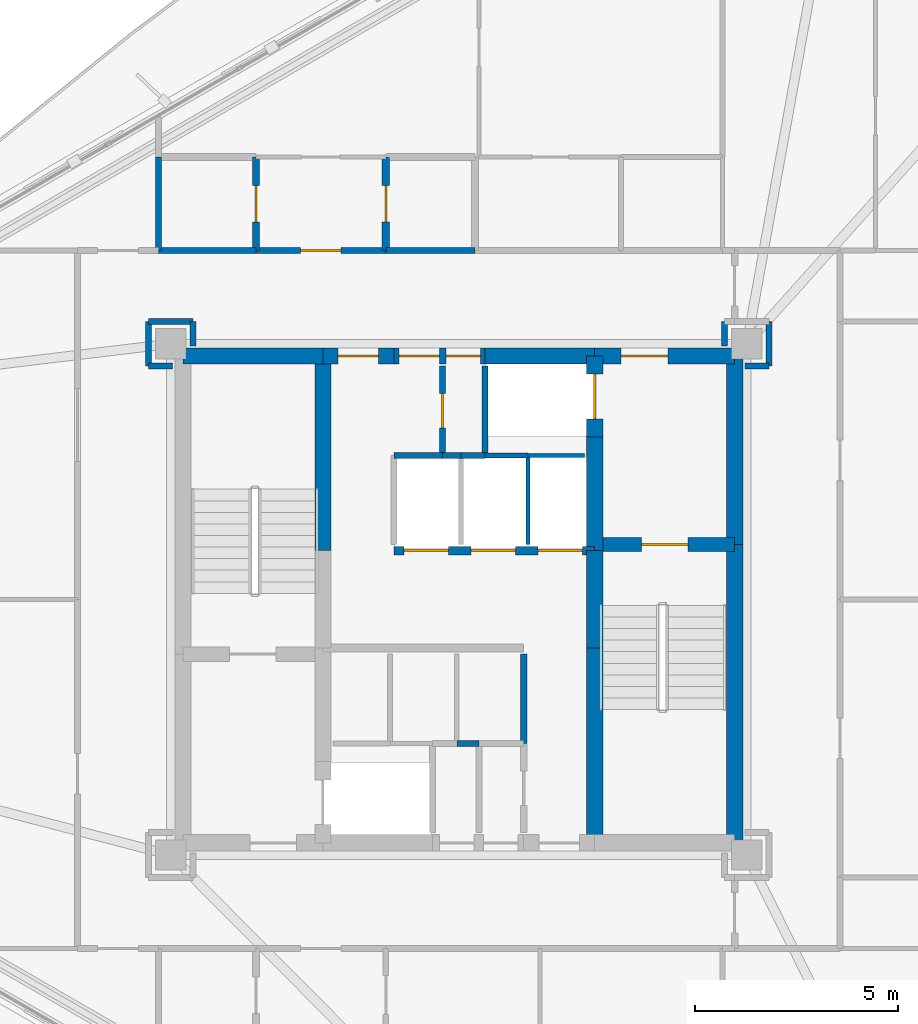
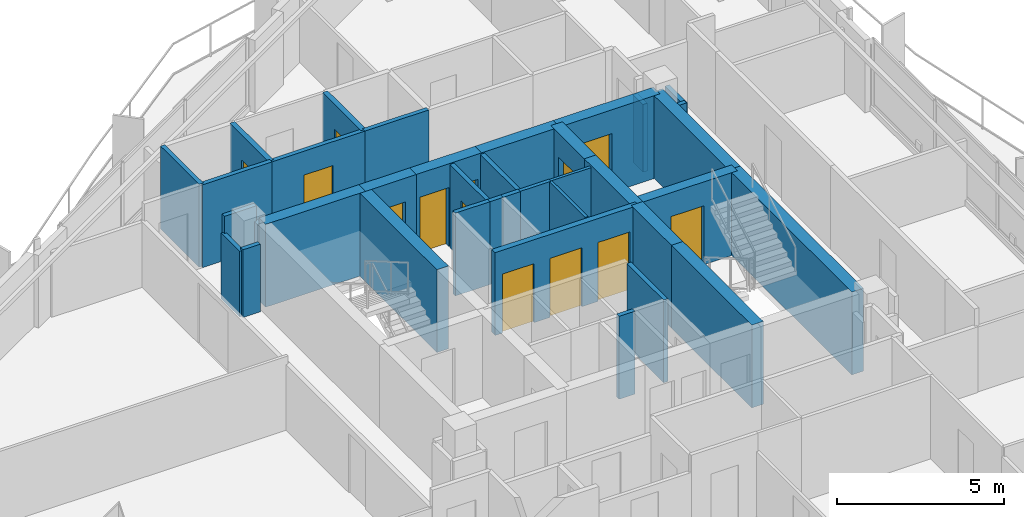
# One storey, part 17 of 22: 37 walls, 13 doors, 13 openings.
"""IFC4 building model written with IfcOpenShell, lengths in metres."""

from ifc_helpers import new_model, si_unit, direction, frame, frame_2d, origin, place, context, subcontext, project, spatial, rectangle, extrude, material, layer, layer_set, type_object, element, fill, save


model = new_model("IFC4")

# Units and contexts
model_context = context("Model", 3, precision=1e-05, world=origin(), true_north=direction((0.0, 1.0)))
body_context = subcontext(model_context, "Body", "Model", "MODEL_VIEW")
ifc_project = project(units=[si_unit("LENGTHUNIT", "METRE"), si_unit("AREAUNIT", "SQUARE_METRE"), si_unit("VOLUMEUNIT", "CUBIC_METRE"), si_unit("PLANEANGLEUNIT", "RADIAN"), si_unit("MASSUNIT", "GRAM", prefix="KILO")], contexts=[model_context])

# Site, building, storey
site_placement = place(None, origin())
site = spatial("IfcSite", under=ifc_project, at=site_placement, CompositionType="ELEMENT")
building_placement = place(site_placement, origin())
building = spatial("IfcBuilding", under=site, at=building_placement, Name="Mersakhor Tower and Convention Hall", CompositionType="ELEMENT")
storey_placement = place(building_placement, frame((0.0, 0.0, 113.10009765625)))
storey = spatial("IfcBuildingStorey", under=building, at=storey_placement, Name="L31", CompositionType="ELEMENT", Elevation=113.10009765625)

# Wall, opening, door
ifc_material_1 = material(Name="Moisture-resistant acoustic drywall studwork", Category="other")
ifc_layer_1 = layer(ifc_material_1, 0.175048828125)
ifc_layer_set_1 = layer_set([ifc_layer_1], Name="Moisture-resistant acoustic drywall studwork")
wall_type_1 = type_object("IfcWallType", Name="WL-PLM-175", PredefinedType="PLUMBINGWALL", material=ifc_layer_set_1)
wall_1_placement = place(storey_placement, frame((27.199951171875, 37.64990234375, 0.0), z_axis=(0.0, 0.0, 1.0), x_axis=(0.0, -1.0, 0.0)))
wall_1 = element("IfcWall", 1, at=wall_1_placement, inside=storey, type_object=wall_type_1, Name="L31 Interior Partition Wall P-063", PredefinedType="PLUMBINGWALL", context=body_context, shape_type="SweptSolid", body=[
    extrude(rectangle(XDim=2.2998046875, YDim=0.175048828125, at=frame_2d((1.14990234375, 0.0))), origin(), (0.0, 0.0, 1.0), 3.02001953125),
])
opening_1_placement = place(wall_1_placement, frame((0.699951171875, 0.0, 0.0)))
opening_1 = element("IfcOpeningElement", 2, at=opening_1_placement, cuts=wall_1, Name="Opening WD-01", PredefinedType="OPENING", context=body_context, shape_type="SweptSolid", body=[
    extrude(rectangle(XDim=0.89990234375, YDim=2.10009765625, at=frame_2d((0.449951171875, 1.050048828125))), frame((0.0, 0.097412109375, 0.0), z_axis=(0.0, -1.0, 0.0), x_axis=(1.0, 0.0, 0.0)), (0.0, 0.0, 1.0), 0.195068359375),
])
ifc_material_2 = material(Name="Solid-core hardwood leaf in painted steel frame", Category="steel")
door_type_1 = type_object("IfcDoorType", Name="DR-INT-WET-090x210", OperationType="NOTDEFINED", PredefinedType="DOOR", material=ifc_material_2)
door_1_placement = place(opening_1_placement, origin())
door_1 = element("IfcDoor", 3, at=door_1_placement, inside=storey, type_object=door_type_1, Name="L31 L31 Flat N1 Apartment Hall to L31 Flat N1 En-Suite Bathroom Door", OperationType="SINGLE_SWING_RIGHT", OverallHeight=2.10009765625, OverallWidth=0.89990234375, PredefinedType="DOOR", context=body_context, shape_type="SweptSolid", body=[
    extrude(rectangle(XDim=0.89990234375, YDim=2.10009765625, at=frame_2d((0.449951171875, 1.050048828125))), frame((0.0, 0.02490234375, 0.0), z_axis=(0.0, -1.0, 0.0), x_axis=(1.0, 0.0, 0.0)), (0.0, 0.0, 1.0), 0.050048828125),
])
fill(opening_1, door_1)

wall_2_placement = place(storey_placement, frame((24.0, 35.35009765625, 0.0), z_axis=(0.0, 0.0, 1.0), x_axis=(0.0, 1.0, 0.0)))
wall_2 = element("IfcWall", 4, at=wall_2_placement, inside=storey, type_object=wall_type_1, Name="L31 Interior Partition Wall P-064", PredefinedType="PLUMBINGWALL", context=body_context, shape_type="SweptSolid", body=[
    extrude(rectangle(XDim=2.2998046875, YDim=0.175048828125, at=frame_2d((1.14990234375, 0.0))), origin(), (0.0, 0.0, 1.0), 3.02001953125),
])
opening_2_placement = place(wall_2_placement, frame((0.699951171875, 0.0, 0.0)))
opening_2 = element("IfcOpeningElement", 5, at=opening_2_placement, cuts=wall_2, Name="Opening WD-01", PredefinedType="OPENING", context=body_context, shape_type="SweptSolid", body=[
    extrude(rectangle(XDim=0.89990234375, YDim=2.10009765625, at=frame_2d((0.449951171875, 1.050048828125))), frame((0.0, 0.097412109375, 0.0), z_axis=(0.0, -1.0, 0.0), x_axis=(1.0, 0.0, 0.0)), (0.0, 0.0, 1.0), 0.195068359375),
])
door_2_placement = place(opening_2_placement, origin())
door_2 = element("IfcDoor", 6, at=door_2_placement, inside=storey, type_object=door_type_1, Name="L31 L31 Flat N1 Apartment Hall to L31 Flat N1 Bathroom Door", OperationType="SINGLE_SWING_LEFT", OverallHeight=2.10009765625, OverallWidth=0.89990234375, PredefinedType="DOOR", context=body_context, shape_type="SweptSolid", body=[
    extrude(rectangle(XDim=0.89990234375, YDim=2.10009765625, at=frame_2d((0.449951171875, 1.050048828125))), frame((0.0, 0.02490234375, 0.0), z_axis=(0.0, -1.0, 0.0), x_axis=(1.0, 0.0, 0.0)), (0.0, 0.0, 1.0), 0.050048828125),
])
fill(opening_2, door_2)

# Walls
ifc_material_3 = material(Name="Lightweight gypsum partition", Category="other")
ifc_layer_2 = layer(ifc_material_3, 0.10009765625)
ifc_layer_set_2 = layer_set([ifc_layer_2], Name="Lightweight gypsum partition")
wall_type_2 = type_object("IfcWallType", Name="WL-PRT-100", PredefinedType="PARTITIONING", material=ifc_layer_set_2)
wall_3_placement = place(storey_placement, frame((32.10009765625, 30.300048828125, 0.0), z_axis=(0.0, 0.0, 1.0), x_axis=(-1.0, 0.0, 0.0)))
element("IfcWall", 7, at=wall_3_placement, inside=storey, type_object=wall_type_2, Name="L31 Interior Partition Wall P-004", PredefinedType="PARTITIONING", context=body_context, shape_type="SweptSolid", body=[
    extrude(rectangle(XDim=1.400146484375, YDim=0.10009765625, at=frame_2d((0.7001953125, 0.0))), origin(), (0.0, 0.0, 1.0), 3.02001953125),
])
wall_4_placement = place(storey_placement, frame((30.699951171875, 30.300048828125, 0.0), z_axis=(0.0, 0.0, 1.0), x_axis=(0.0, -1.0, 0.0)))
element("IfcWall", 8, at=wall_4_placement, inside=storey, type_object=wall_type_2, Name="L31 Interior Partition Wall P-018", PredefinedType="PARTITIONING", context=body_context, shape_type="SweptSolid", body=[
    extrude(rectangle(XDim=2.199951171875, YDim=0.10009765625, at=frame_2d((1.10009765625, 0.0))), origin(), (0.0, 0.0, 1.0), 3.02001953125),
])
ifc_material_4 = material(Name="Gypsum board acoustic partition", Category="other")
ifc_layer_3 = layer(ifc_material_4, 0.125)
ifc_layer_set_3 = layer_set([ifc_layer_3], Name="Gypsum board acoustic partition")
wall_type_3 = type_object("IfcWallType", Name="WL-PRT-125", PredefinedType="PARTITIONING", material=ifc_layer_set_3)
wall_5_placement = place(storey_placement, frame((30.699951171875, 30.300048828125, 0.0), z_axis=(0.0, 0.0, 1.0), x_axis=(-1.0, 0.0, 0.0)))
element("IfcWall", 9, at=wall_5_placement, inside=storey, type_object=wall_type_3, Name="L31 Interior Partition Wall P-005", PredefinedType="PARTITIONING", context=body_context, shape_type="SweptSolid", body=[
    extrude(rectangle(XDim=1.050048828125, YDim=0.125, at=frame_2d((0.52490234375, 0.0))), origin(), (0.0, 0.0, 1.0), 3.02001953125),
])
ifc_material_5 = material(Name="Fire-rated gypsum board stud partition", Category="other")
ifc_layer_4 = layer(ifc_material_5, 0.14990234375)
ifc_layer_set_4 = layer_set([ifc_layer_4], Name="Fire-rated gypsum board stud partition")
wall_type_4 = type_object("IfcWallType", Name="WL-PRT-150", PredefinedType="PARTITIONING", material=ifc_layer_set_4)
for number, where, z_axis, x_axis, name in (
    (10, (29.64990234375, 30.300048828125, 0.0), (0.0, 0.0, 1.0), (0.0, 1.0, 0.0), "L31 Interior Partition Wall P-006"),
    (11, (30.60009765625, 25.39990234375, 0.0), (0.0, 0.0, 1.0), (0.0, -1.0, 0.0), "L31 Interior Partition Wall P-010"),
):
    element("IfcWall", number, at=place(storey_placement, frame(where, z_axis=z_axis, x_axis=x_axis)), inside=storey, type_object=wall_type_4, Name=name, PredefinedType="PARTITIONING", context=body_context, shape_type="SweptSolid", body=[
        extrude(rectangle(XDim=2.199951171875, YDim=0.14990234375, at=frame_2d((1.10009765625, 0.0))), origin(), (0.0, 0.0, 1.0), 3.02001953125),
    ])
wall_6_placement = place(storey_placement, frame((29.5, 23.199951171875, 0.0), z_axis=(0.0, 0.0, 1.0), x_axis=(-1.0, 0.0, 0.0)))
element("IfcWall", 12, at=wall_6_placement, inside=storey, type_object=wall_type_4, Name="L31 Interior Partition Wall P-012", PredefinedType="PARTITIONING", context=body_context, shape_type="SweptSolid", body=[
    extrude(rectangle(XDim=0.550048828125, YDim=0.14990234375, at=frame_2d((0.27490234375, 0.0))), origin(), (0.0, 0.0, 1.0), 3.02001953125),
])
wall_7_placement = place(storey_placement, frame((27.39990234375, 30.300048828125, 0.0), z_axis=(0.0, 0.0, 1.0), x_axis=(1.0, 0.0, 0.0)))
element("IfcWall", 13, at=wall_7_placement, inside=storey, type_object=wall_type_4, Name="L31 Interior Partition Wall P-013", PredefinedType="PARTITIONING", context=body_context, shape_type="SweptSolid", body=[
    extrude(rectangle(XDim=1.2001953125, YDim=0.14990234375, at=frame_2d((0.60009765625, 0.0))), origin(), (0.0, 0.0, 1.0), 3.02001953125),
])
wall_8_placement = place(storey_placement, frame((28.60009765625, 30.300048828125, 0.0), z_axis=(0.0, 0.0, 1.0), x_axis=(1.0, 0.0, 0.0)))
element("IfcWall", 14, at=wall_8_placement, inside=storey, type_object=wall_type_4, Name="L31 Interior Partition Wall P-014", PredefinedType="PARTITIONING", context=body_context, shape_type="SweptSolid", body=[
    extrude(rectangle(XDim=0.449951171875, YDim=0.14990234375, at=frame_2d((0.22509765625, 0.0))), origin(), (0.0, 0.0, 1.0), 3.02001953125),
])
wall_9_placement = place(storey_placement, frame((29.050048828125, 30.300048828125, 0.0), z_axis=(0.0, 0.0, 1.0), x_axis=(1.0, 0.0, 0.0)))
element("IfcWall", 15, at=wall_9_placement, inside=storey, type_object=wall_type_4, Name="L31 Interior Partition Wall P-017", PredefinedType="PARTITIONING", context=body_context, shape_type="SweptSolid", body=[
    extrude(rectangle(XDim=0.599853515625, YDim=0.14990234375, at=frame_2d((0.2998046875, 0.0))), origin(), (0.0, 0.0, 1.0), 3.02001953125),
])

# Wall, opening, door
wall_10_placement = place(storey_placement, frame((28.60009765625, 32.5, 0.0), z_axis=(0.0, 0.0, 1.0), x_axis=(0.0, -1.0, 0.0)))
wall_10 = element("IfcWall", 16, at=wall_10_placement, inside=storey, type_object=wall_type_4, Name="L31 Interior Partition Wall P-020", PredefinedType="PARTITIONING", context=body_context, shape_type="SweptSolid", body=[
    extrude(rectangle(XDim=2.199951171875, YDim=0.14990234375, at=frame_2d((1.10009765625, 0.0))), origin(), (0.0, 0.0, 1.0), 3.02001953125),
])
opening_3_placement = place(wall_10_placement, frame((0.675048828125, 0.0, 0.0)))
opening_3 = element("IfcOpeningElement", 17, at=opening_3_placement, cuts=wall_10, Name="Opening SVD-01", PredefinedType="OPENING", context=body_context, shape_type="SweptSolid", body=[
    extrude(rectangle(XDim=0.85009765625, YDim=2.10009765625, at=frame_2d((0.425048828125, 1.050048828125))), frame((0.0, 0.0849609375, 0.0), z_axis=(0.0, -1.0, 0.0), x_axis=(1.0, 0.0, 0.0)), (0.0, 0.0, 1.0), 0.169921875),
])
ifc_material_6 = material(Name="Fire-rated hardwood leaf and painted steel frame", Category="steel")
door_type_2 = type_object("IfcDoorType", Name="DR-INT-SVC-085x210", OperationType="NOTDEFINED", PredefinedType="DOOR", material=ifc_material_6)
door_3_placement = place(opening_3_placement, origin())
door_3 = element("IfcDoor", 18, at=door_3_placement, inside=storey, type_object=door_type_2, Name="L31 Central Passenger Lift Lobby to Cleaner Store Room Door", OperationType="SINGLE_SWING_LEFT", OverallHeight=2.10009765625, OverallWidth=0.85009765625, PredefinedType="DOOR", context=body_context, shape_type="SweptSolid", body=[
    extrude(rectangle(XDim=0.85009765625, YDim=2.10009765625, at=frame_2d((0.425048828125, 1.050048828125))), frame((0.0, 0.02490234375, 0.0), z_axis=(0.0, -1.0, 0.0), x_axis=(1.0, 0.0, 0.0)), (0.0, 0.0, 1.0), 0.050048828125),
])
fill(opening_3, door_3)

# Wall
wall_11_placement = place(storey_placement, frame((21.60009765625, 35.35009765625, 0.0), z_axis=(0.0, 0.0, 1.0), x_axis=(1.0, 0.0, 0.0)))
element("IfcWall", 19, at=wall_11_placement, inside=storey, type_object=wall_type_4, Name="L31 Interior Partition Wall P-035", PredefinedType="PARTITIONING", context=body_context, shape_type="SweptSolid", body=[
    extrude(rectangle(XDim=2.39990234375, YDim=0.14990234375, at=frame_2d((1.199951171875, 0.0))), origin(), (0.0, 0.0, 1.0), 3.02001953125),
])

# Wall, opening, door
wall_12_placement = place(storey_placement, frame((24.0, 35.35009765625, 0.0), z_axis=(0.0, 0.0, 1.0), x_axis=(1.0, 0.0, 0.0)))
wall_12 = element("IfcWall", 20, at=wall_12_placement, inside=storey, type_object=wall_type_4, Name="L31 Interior Partition Wall P-036", PredefinedType="PARTITIONING", context=body_context, shape_type="SweptSolid", body=[
    extrude(rectangle(XDim=3.199951171875, YDim=0.14990234375, at=frame_2d((1.60009765625, 0.0))), origin(), (0.0, 0.0, 1.0), 3.02001953125),
])
opening_4_placement = place(wall_12_placement, frame((1.10009765625, 0.0, 0.0)))
opening_4 = element("IfcOpeningElement", 21, at=opening_4_placement, cuts=wall_12, Name="Opening FD-01", PredefinedType="OPENING", context=body_context, shape_type="SweptSolid", body=[
    extrude(rectangle(XDim=1.0, YDim=2.14990234375, at=frame_2d((0.5, 1.074951171875))), frame((0.0, 0.0849609375, 0.0), z_axis=(0.0, -1.0, 0.0), x_axis=(1.0, 0.0, 0.0)), (0.0, 0.0, 1.0), 0.169921875),
])
ifc_material_7 = material(Name="Fire-rated hardwood leaf and painted steel frame", Category="steel")
door_type_3 = type_object("IfcDoorType", Name="DR-INT-FLT-100x215", OperationType="NOTDEFINED", PredefinedType="DOOR", material=ifc_material_7)
door_4_placement = place(opening_4_placement, origin())
door_4 = element("IfcDoor", 22, at=door_4_placement, inside=storey, type_object=door_type_3, Name="L31 Apartment Entrance Door (Residential Ring Corridor to L31 Flat N1 Apartment Hall)", OperationType="SINGLE_SWING_RIGHT", OverallHeight=2.14990234375, OverallWidth=1.0, PredefinedType="DOOR", context=body_context, shape_type="SweptSolid", body=[
    extrude(rectangle(XDim=1.0, YDim=2.14990234375, at=frame_2d((0.5, 1.074951171875))), frame((0.0, 0.02490234375, 0.0), z_axis=(0.0, -1.0, 0.0), x_axis=(1.0, 0.0, 0.0)), (0.0, 0.0, 1.0), 0.050048828125),
])
fill(opening_4, door_4)

# Walls
wall_13_placement = place(storey_placement, frame((27.199951171875, 35.35009765625, 0.0), z_axis=(0.0, 0.0, 1.0), x_axis=(1.0, 0.0, 0.0)))
element("IfcWall", 23, at=wall_13_placement, inside=storey, type_object=wall_type_4, Name="L31 Interior Partition Wall P-037", PredefinedType="PARTITIONING", context=body_context, shape_type="SweptSolid", body=[
    extrude(rectangle(XDim=2.199951171875, YDim=0.14990234375, at=frame_2d((1.10009765625, 0.0))), origin(), (0.0, 0.0, 1.0), 3.02001953125),
])
for number, where, z_axis, x_axis, name in (
    (24, (35.550048828125, 33.60009765625, 0.0), (0.0, 0.0, 1.0), (0.0, -1.0, 0.0), "L31 Interior Partition Wall P-043"),
    (25, (22.449951171875, 33.0, 0.0), (0.0, 0.0, 1.0), (0.0, 1.0, 0.0), "L31 Interior Partition Wall P-044"),
):
    element("IfcWall", number, at=place(storey_placement, frame(where, z_axis=z_axis, x_axis=x_axis)), inside=storey, type_object=wall_type_4, Name=name, PredefinedType="PARTITIONING", context=body_context, shape_type="SweptSolid", body=[
        extrude(rectangle(XDim=0.60009765625, YDim=0.14990234375, at=frame_2d((0.300048828125, 0.0))), origin(), (0.0, 0.0, 1.0), 2.46826171875),
    ])
wall_14_placement = place(storey_placement, frame((22.449951171875, 33.60009765625, 0.0), z_axis=(0.0, 0.0, 1.0), x_axis=(-1.0, 0.0, 0.0)))
element("IfcWall", 26, at=wall_14_placement, inside=storey, type_object=wall_type_4, Name="L31 Interior Partition Wall P-045", PredefinedType="PARTITIONING", context=body_context, shape_type="SweptSolid", body=[
    extrude(rectangle(XDim=1.099853515625, YDim=0.14990234375, at=frame_2d((0.5498046875, 0.0))), origin(), (0.0, 0.0, 1.0), 3.02001953125),
])
wall_15_placement = place(storey_placement, frame((21.35009765625, 33.60009765625, 0.0), z_axis=(0.0, 0.0, 1.0), x_axis=(0.0, -1.0, 0.0)))
element("IfcWall", 27, at=wall_15_placement, inside=storey, type_object=wall_type_4, Name="L31 Interior Partition Wall P-046", PredefinedType="PARTITIONING", context=body_context, shape_type="SweptSolid", body=[
    extrude(rectangle(XDim=1.10009765625, YDim=0.14990234375, at=frame_2d((0.550048828125, 0.0))), origin(), (0.0, 0.0, 1.0), 2.392822265625),
])
for number, where, z_axis, x_axis, name in (
    (28, (21.35009765625, 32.5, 0.0), (0.0, 0.0, 1.0), (1.0, 0.0, 0.0), "L31 Interior Partition Wall P-047"),
    (29, (36.050048828125, 32.5, 0.0), (0.0, 0.0, 1.0), (1.0, 0.0, 0.0), "L31 Interior Partition Wall P-051"),
):
    element("IfcWall", number, at=place(storey_placement, frame(where, z_axis=z_axis, x_axis=x_axis)), inside=storey, type_object=wall_type_4, Name=name, PredefinedType="PARTITIONING", context=body_context, shape_type="SweptSolid", body=[
        extrude(rectangle(XDim=0.599853515625, YDim=0.14990234375, at=frame_2d((0.2998046875, 0.0))), origin(), (0.0, 0.0, 1.0), 2.46826171875),
    ])
wall_16_placement = place(storey_placement, frame((36.64990234375, 32.5, 0.0), z_axis=(0.0, 0.0, 1.0), x_axis=(0.0, 1.0, 0.0)))
element("IfcWall", 30, at=wall_16_placement, inside=storey, type_object=wall_type_4, Name="L31 Interior Partition Wall P-052", PredefinedType="PARTITIONING", context=body_context, shape_type="SweptSolid", body=[
    extrude(rectangle(XDim=1.10009765625, YDim=0.14990234375, at=frame_2d((0.550048828125, 0.0))), origin(), (0.0, 0.0, 1.0), 2.392822265625),
])
wall_17_placement = place(storey_placement, frame((21.60009765625, 35.35009765625, 0.0), z_axis=(0.0, 0.0, 1.0), x_axis=(0.0, 1.0, 0.0)))
element("IfcWall", 31, at=wall_17_placement, inside=storey, type_object=wall_type_4, Name="L31 Interior Partition Wall P-069", PredefinedType="PARTITIONING", context=body_context, shape_type="SweptSolid", body=[
    extrude(rectangle(XDim=2.2998046875, YDim=0.14990234375, at=frame_2d((1.14990234375, 0.0))), origin(), (0.0, 0.0, 1.0), 3.02001953125),
])

# Wall, openings, doors
ifc_material_8 = material(Name="Acoustic concrete blockwork and gypsum board", Category="masonry")
ifc_layer_5 = layer(ifc_material_8, 0.199951171875)
ifc_layer_set_5 = layer_set([ifc_layer_5], Name="Acoustic concrete blockwork and gypsum board")
wall_type_5 = type_object("IfcWallType", Name="WL-PRT-200", PredefinedType="PARTITIONING", material=ifc_layer_set_5)
wall_18_placement = place(storey_placement, frame((27.39990234375, 27.949951171875, 0.0), z_axis=(0.0, 0.0, 1.0), x_axis=(1.0, 0.0, 0.0)))
wall_18 = element("IfcWall", 32, at=wall_18_placement, inside=storey, type_object=wall_type_5, Name="L31 Low-Rise Lift Bank Front Wall", PredefinedType="PARTITIONING", context=body_context, shape_type="SweptSolid", body=[
    extrude(rectangle(XDim=4.9501953125, YDim=0.199951171875, at=frame_2d((2.47509765625, 0.0))), origin(), (0.0, 0.0, 1.0), 3.02001953125),
])
opening_5_placement = place(wall_18_placement, frame((0.25, 0.0, 0.0)))
opening_5 = element("IfcOpeningElement", 33, at=opening_5_placement, cuts=wall_18, Name="Opening LD-P1", PredefinedType="OPENING", context=body_context, shape_type="SweptSolid", body=[
    extrude(rectangle(XDim=1.10009765625, YDim=2.14990234375, at=frame_2d((0.550048828125, 1.074951171875))), frame((0.0, 0.10986328125, 0.0), z_axis=(0.0, -1.0, 0.0), x_axis=(1.0, 0.0, 0.0)), (0.0, 0.0, 1.0), 0.219970703125),
])
opening_6_placement = place(wall_18_placement, frame((1.89990234375, 0.0, 0.0)))
opening_6 = element("IfcOpeningElement", 34, at=opening_6_placement, cuts=wall_18, Name="Opening LD-P2", PredefinedType="OPENING", context=body_context, shape_type="SweptSolid", body=[
    extrude(rectangle(XDim=1.10009765625, YDim=2.14990234375, at=frame_2d((0.550048828125, 1.074951171875))), frame((0.0, 0.10986328125, 0.0), z_axis=(0.0, -1.0, 0.0), x_axis=(1.0, 0.0, 0.0)), (0.0, 0.0, 1.0), 0.219970703125),
])
opening_7_placement = place(wall_18_placement, frame((3.550048828125, 0.0, 0.0)))
opening_7 = element("IfcOpeningElement", 35, at=opening_7_placement, cuts=wall_18, Name="Opening LD-P3", PredefinedType="OPENING", context=body_context, shape_type="SweptSolid", body=[
    extrude(rectangle(XDim=1.10009765625, YDim=2.14990234375, at=frame_2d((0.550048828125, 1.074951171875))), frame((0.0, 0.10986328125, 0.0), z_axis=(0.0, -1.0, 0.0), x_axis=(1.0, 0.0, 0.0)), (0.0, 0.0, 1.0), 0.219970703125),
])
ifc_material_9 = material(Name="Fire-rated brushed stainless steel sliding landing door", Category="steel")
door_type_4 = type_object("IfcDoorType", Name="DR-LIFT-SLD-110x215", OperationType="NOTDEFINED", PredefinedType="DOOR", material=ifc_material_9)
door_5_placement = place(opening_5_placement, origin())
door_5 = element("IfcDoor", 36, at=door_5_placement, inside=storey, type_object=door_type_4, Name="L31 Lift Landing Door LD-P1", OperationType="SLIDING_TO_LEFT", OverallHeight=2.14990234375, OverallWidth=1.10009765625, PredefinedType="DOOR", context=body_context, shape_type="SweptSolid", body=[
    extrude(rectangle(XDim=1.10009765625, YDim=2.14990234375, at=frame_2d((0.550048828125, 1.074951171875))), frame((0.0, 0.02490234375, 0.0), z_axis=(0.0, -1.0, 0.0), x_axis=(1.0, 0.0, 0.0)), (0.0, 0.0, 1.0), 0.050048828125),
])
fill(opening_5, door_5)
door_6_placement = place(opening_6_placement, origin())
door_6 = element("IfcDoor", 37, at=door_6_placement, inside=storey, type_object=door_type_4, Name="L31 Lift Landing Door LD-P2", OperationType="SLIDING_TO_LEFT", OverallHeight=2.14990234375, OverallWidth=1.10009765625, PredefinedType="DOOR", context=body_context, shape_type="SweptSolid", body=[
    extrude(rectangle(XDim=1.10009765625, YDim=2.14990234375, at=frame_2d((0.550048828125, 1.074951171875))), frame((0.0, 0.02490234375, 0.0), z_axis=(0.0, -1.0, 0.0), x_axis=(1.0, 0.0, 0.0)), (0.0, 0.0, 1.0), 0.050048828125),
])
fill(opening_6, door_6)
door_7_placement = place(opening_7_placement, origin())
door_7 = element("IfcDoor", 38, at=door_7_placement, inside=storey, type_object=door_type_4, Name="L31 Lift Landing Door LD-P3", OperationType="SLIDING_TO_LEFT", OverallHeight=2.14990234375, OverallWidth=1.10009765625, PredefinedType="DOOR", context=body_context, shape_type="SweptSolid", body=[
    extrude(rectangle(XDim=1.10009765625, YDim=2.14990234375, at=frame_2d((0.550048828125, 1.074951171875))), frame((0.0, 0.02490234375, 0.0), z_axis=(0.0, -1.0, 0.0), x_axis=(1.0, 0.0, 0.0)), (0.0, 0.0, 1.0), 0.050048828125),
])
fill(opening_7, door_7)

# Wall, opening, door
ifc_material_10 = material(Name="Concrete C50/60", Category="concrete")
ifc_layer_6 = layer(ifc_material_10, 0.35009765625)
ifc_layer_set_6 = layer_set([ifc_layer_6], Name="Concrete C50/60")
wall_type_6 = type_object("IfcWallType", Name="WL-SHR-350", PredefinedType="SHEAR", material=ifc_layer_set_6)
wall_19_placement = place(storey_placement, frame((32.35009765625, 28.10009765625, 0.0), z_axis=(0.0, 0.0, 1.0), x_axis=(1.0, 0.0, 0.0)))
wall_19 = element("IfcWall", 39, at=wall_19_placement, inside=storey, type_object=wall_type_6, Name="L31 Core Wall CS-ST2-N", PredefinedType="SHEAR", context=body_context, shape_type="SweptSolid", body=[
    extrude(rectangle(XDim=3.449951171875, YDim=0.35009765625, at=frame_2d((1.72509765625, 0.0))), origin(), (0.0, 0.0, 1.0), 3.02001953125),
])
opening_8_placement = place(wall_19_placement, frame((1.14990234375, 0.0, 0.0)))
opening_8 = element("IfcOpeningElement", 40, at=opening_8_placement, cuts=wall_19, Name="Opening SD-01", PredefinedType="OPENING", context=body_context, shape_type="SweptSolid", body=[
    extrude(rectangle(XDim=1.14990234375, YDim=2.14990234375, at=frame_2d((0.574951171875, 1.074951171875))), frame((0.0, 0.18505859375, 0.0), z_axis=(0.0, -1.0, 0.0), x_axis=(1.0, 0.0, 0.0)), (0.0, 0.0, 1.0), 0.3701171875),
])
ifc_material_11 = material(Name="Fire-rated hardwood leaf and painted steel frame", Category="steel")
door_type_5 = type_object("IfcDoorType", Name="DR-INT-STAIR-115x215", OperationType="NOTDEFINED", PredefinedType="DOOR", material=ifc_material_11)
door_8_placement = place(opening_8_placement, origin())
door_8 = element("IfcDoor", 41, at=door_8_placement, inside=storey, type_object=door_type_5, Name="L31 Exit Stair ST-2 Enclosure Door", OperationType="SINGLE_SWING_RIGHT", OverallHeight=2.14990234375, OverallWidth=1.14990234375, PredefinedType="DOOR", context=body_context, shape_type="SweptSolid", body=[
    extrude(rectangle(XDim=1.14990234375, YDim=2.14990234375, at=frame_2d((0.574951171875, 1.074951171875))), frame((0.0, 0.02490234375, 0.0), z_axis=(0.0, -1.0, 0.0), x_axis=(1.0, 0.0, 0.0)), (0.0, 0.0, 1.0), 0.050048828125),
])
fill(opening_8, door_8)

# Wall
ifc_material_12 = material(Name="Concrete C60/75", Category="concrete")
ifc_layer_7 = layer(ifc_material_12, 0.39990234375)
ifc_layer_set_7 = layer_set([ifc_layer_7], Name="Concrete C60/75")
wall_type_7 = type_object("IfcWallType", Name="WL-SHR-400", PredefinedType="SHEAR", material=ifc_layer_set_7)
wall_20_placement = place(storey_placement, frame((22.199951171875, 32.75, 0.0), z_axis=(0.0, 0.0, 1.0), x_axis=(1.0, 0.0, 0.0)))
element("IfcWall", 42, at=wall_20_placement, inside=storey, type_object=wall_type_7, Name="L31 Core Wall CW-N1", PredefinedType="SHEAR", context=body_context, shape_type="SweptSolid", body=[
    extrude(rectangle(XDim=3.449951171875, YDim=0.39990234375, at=frame_2d((1.72509765625, 0.0))), origin(), (0.0, 0.0, 1.0), 3.02001953125),
])

# Wall, opening, door
wall_21_placement = place(storey_placement, frame((25.64990234375, 32.75, 0.0), z_axis=(0.0, 0.0, 1.0), x_axis=(1.0, 0.0, 0.0)))
wall_21 = element("IfcWall", 43, at=wall_21_placement, inside=storey, type_object=wall_type_7, Name="L31 Core Wall CW-N2A", PredefinedType="SHEAR", context=body_context, shape_type="SweptSolid", body=[
    extrude(rectangle(XDim=1.75, YDim=0.39990234375, at=frame_2d((0.875, 0.0))), origin(), (0.0, 0.0, 1.0), 3.02001953125),
])
opening_9_placement = place(wall_21_placement, frame((0.375, 0.0, 0.0)))
opening_9 = element("IfcOpeningElement", 44, at=opening_9_placement, cuts=wall_21, Name="Opening CFD-01", PredefinedType="OPENING", context=body_context, shape_type="SweptSolid", body=[
    extrude(rectangle(XDim=1.0, YDim=2.14990234375, at=frame_2d((0.5, 1.074951171875))), frame((0.0, 0.2099609375, 0.0), z_axis=(0.0, -1.0, 0.0), x_axis=(1.0, 0.0, 0.0)), (0.0, 0.0, 1.0), 0.419921875),
])
ifc_material_13 = material(Name="Fire-rated hardwood leaf and painted steel frame", Category="steel")
door_type_6 = type_object("IfcDoorType", Name="DR-CORE-FD-100x215", OperationType="NOTDEFINED", PredefinedType="DOOR", material=ifc_material_13)
door_9_placement = place(opening_9_placement, origin())
door_9 = element("IfcDoor", 45, at=door_9_placement, inside=storey, type_object=door_type_6, Name="L31 Lift Lobby North Corridor Door", OperationType="SINGLE_SWING_LEFT", OverallHeight=2.14990234375, OverallWidth=1.0, PredefinedType="DOOR", context=body_context, shape_type="SweptSolid", body=[
    extrude(rectangle(XDim=1.0, YDim=2.14990234375, at=frame_2d((0.5, 1.074951171875))), frame((0.0, 0.02490234375, 0.0), z_axis=(0.0, -1.0, 0.0), x_axis=(1.0, 0.0, 0.0)), (0.0, 0.0, 1.0), 0.050048828125),
])
fill(opening_9, door_9)

# Wall, openings, doors
wall_22_placement = place(storey_placement, frame((27.39990234375, 32.75, 0.0), z_axis=(0.0, 0.0, 1.0), x_axis=(1.0, 0.0, 0.0)))
wall_22 = element("IfcWall", 46, at=wall_22_placement, inside=storey, type_object=wall_type_7, Name="L31 Core Wall CW-N2B", PredefinedType="SHEAR", context=body_context, shape_type="SweptSolid", body=[
    extrude(rectangle(XDim=2.25, YDim=0.39990234375, at=frame_2d((1.125, 0.0))), origin(), (0.0, 0.0, 1.0), 3.02001953125),
])
opening_10_placement = place(wall_22_placement, frame((0.1201171875, 0.0, 0.0)))
opening_10 = element("IfcOpeningElement", 47, at=opening_10_placement, cuts=wall_22, Name="Opening FD-01", PredefinedType="OPENING", context=body_context, shape_type="SweptSolid", body=[
    extrude(rectangle(XDim=1.0, YDim=2.14990234375, at=frame_2d((0.5, 1.074951171875))), frame((0.0, 0.2099609375, 0.0), z_axis=(0.0, -1.0, 0.0), x_axis=(1.0, 0.0, 0.0)), (0.0, 0.0, 1.0), 0.419921875),
])
opening_11_placement = place(wall_22_placement, frame((1.280029296875, 0.0, 0.0)))
opening_11 = element("IfcOpeningElement", 48, at=opening_11_placement, cuts=wall_22, Name="Opening SVD-01", PredefinedType="OPENING", context=body_context, shape_type="SweptSolid", body=[
    extrude(rectangle(XDim=0.85009765625, YDim=2.10009765625, at=frame_2d((0.425048828125, 1.050048828125))), frame((0.0, 0.2099609375, 0.0), z_axis=(0.0, -1.0, 0.0), x_axis=(1.0, 0.0, 0.0)), (0.0, 0.0, 1.0), 0.419921875),
])
door_10_placement = place(opening_10_placement, origin())
door_10 = element("IfcDoor", 49, at=door_10_placement, inside=storey, type_object=door_type_3, Name="L31 Central Passenger Lift Lobby to Residential Ring Corridor Door", OperationType="SINGLE_SWING_LEFT", OverallHeight=2.14990234375, OverallWidth=1.0, PredefinedType="DOOR", context=body_context, shape_type="SweptSolid", body=[
    extrude(rectangle(XDim=1.0, YDim=2.14990234375, at=frame_2d((0.5, 1.074951171875))), frame((0.0, 0.02490234375, 0.0), z_axis=(0.0, -1.0, 0.0), x_axis=(1.0, 0.0, 0.0)), (0.0, 0.0, 1.0), 0.050048828125),
])
fill(opening_10, door_10)
door_11_placement = place(opening_11_placement, origin())
door_11 = element("IfcDoor", 50, at=door_11_placement, inside=storey, type_object=door_type_2, Name="L31 Residential Ring Corridor to Cleaner Store Room Door", OperationType="SINGLE_SWING_RIGHT", OverallHeight=2.10009765625, OverallWidth=0.85009765625, PredefinedType="DOOR", context=body_context, shape_type="SweptSolid", body=[
    extrude(rectangle(XDim=0.85009765625, YDim=2.10009765625, at=frame_2d((0.425048828125, 1.050048828125))), frame((0.0, 0.02490234375, 0.0), z_axis=(0.0, -1.0, 0.0), x_axis=(1.0, 0.0, 0.0)), (0.0, 0.0, 1.0), 0.050048828125),
])
fill(opening_11, door_11)

# Wall
wall_23_placement = place(storey_placement, frame((29.64990234375, 32.75, 0.0), z_axis=(0.0, 0.0, 1.0), x_axis=(1.0, 0.0, 0.0)))
element("IfcWall", 51, at=wall_23_placement, inside=storey, type_object=wall_type_7, Name="L31 Core Wall CW-N3", PredefinedType="SHEAR", context=body_context, shape_type="SweptSolid", body=[
    extrude(rectangle(XDim=2.7001953125, YDim=0.39990234375, at=frame_2d((1.35009765625, 0.0))), origin(), (0.0, 0.0, 1.0), 3.02001953125),
])

# Wall, opening, door
wall_24_placement = place(storey_placement, frame((32.35009765625, 32.75, 0.0), z_axis=(0.0, 0.0, 1.0), x_axis=(1.0, 0.0, 0.0)))
wall_24 = element("IfcWall", 52, at=wall_24_placement, inside=storey, type_object=wall_type_7, Name="L31 Core Wall CW-N4", PredefinedType="SHEAR", context=body_context, shape_type="SweptSolid", body=[
    extrude(rectangle(XDim=3.449951171875, YDim=0.39990234375, at=frame_2d((1.72509765625, 0.0))), origin(), (0.0, 0.0, 1.0), 3.02001953125),
])
opening_12_placement = place(wall_24_placement, frame((0.64990234375, 0.0, 0.0)))
opening_12 = element("IfcOpeningElement", 53, at=opening_12_placement, cuts=wall_24, Name="Opening SD-01", PredefinedType="OPENING", context=body_context, shape_type="SweptSolid", body=[
    extrude(rectangle(XDim=1.14990234375, YDim=2.14990234375, at=frame_2d((0.574951171875, 1.074951171875))), frame((0.0, 0.2099609375, 0.0), z_axis=(0.0, -1.0, 0.0), x_axis=(1.0, 0.0, 0.0)), (0.0, 0.0, 1.0), 0.419921875),
])
door_12_placement = place(opening_12_placement, origin())
door_12 = element("IfcDoor", 54, at=door_12_placement, inside=storey, type_object=door_type_5, Name="L31 Firefighting Lobby East Fire Door", OperationType="SINGLE_SWING_RIGHT", OverallHeight=2.14990234375, OverallWidth=1.14990234375, PredefinedType="DOOR", context=body_context, shape_type="SweptSolid", body=[
    extrude(rectangle(XDim=1.14990234375, YDim=2.14990234375, at=frame_2d((0.574951171875, 1.074951171875))), frame((0.0, 0.02490234375, 0.0), z_axis=(0.0, -1.0, 0.0), x_axis=(1.0, 0.0, 0.0)), (0.0, 0.0, 1.0), 0.050048828125),
])
fill(opening_12, door_12)

# Walls
wall_25_placement = place(storey_placement, frame((35.800048828125, 32.75, 0.0), z_axis=(0.0, 0.0, 1.0), x_axis=(0.0, -1.0, 0.0)))
element("IfcWall", 55, at=wall_25_placement, inside=storey, type_object=wall_type_7, Name="L31 Core Wall CW-E1", PredefinedType="SHEAR", context=body_context, shape_type="SweptSolid", body=[
    extrude(rectangle(XDim=4.64990234375, YDim=0.39990234375, at=frame_2d((2.324951171875, 0.0))), origin(), (0.0, 0.0, 1.0), 3.02001953125),
])
wall_26_placement = place(storey_placement, frame((35.800048828125, 28.10009765625, 0.0), z_axis=(0.0, 0.0, 1.0), x_axis=(0.0, -1.0, 0.0)))
element("IfcWall", 56, at=wall_26_placement, inside=storey, type_object=wall_type_7, Name="L31 Core Wall CW-E2", PredefinedType="SHEAR", context=body_context, shape_type="SweptSolid", body=[
    extrude(rectangle(XDim=7.35009765625, YDim=0.39990234375, at=frame_2d((3.675048828125, 0.0))), origin(), (0.0, 0.0, 1.0), 3.02001953125),
])
for number, where, z_axis, x_axis, name in (
    (57, (25.64990234375, 27.949951171875, 0.0), (0.0, 0.0, 1.0), (0.0, 1.0, 0.0), "L31 Core Wall CS-W-ST1"),
    (58, (32.35009765625, 20.75, 0.0), (0.0, 0.0, 1.0), (0.0, 1.0, 0.0), "L31 Core Wall CS-E-ST2"),
):
    element("IfcWall", number, at=place(storey_placement, frame(where, z_axis=z_axis, x_axis=x_axis)), inside=storey, type_object=wall_type_7, Name=name, PredefinedType="SHEAR", context=body_context, shape_type="SweptSolid", body=[
        extrude(rectangle(XDim=4.800048828125, YDim=0.39990234375, at=frame_2d((2.39990234375, 0.0))), origin(), (0.0, 0.0, 1.0), 3.02001953125),
    ])
wall_27_placement = place(storey_placement, frame((32.35009765625, 25.550048828125, 0.0), z_axis=(0.0, 0.0, 1.0), x_axis=(0.0, 1.0, 0.0)))
element("IfcWall", 59, at=wall_27_placement, inside=storey, type_object=wall_type_7, Name="L31 Core Wall CS-E-LOB", PredefinedType="SHEAR", context=body_context, shape_type="SweptSolid", body=[
    extrude(rectangle(XDim=2.39990234375, YDim=0.39990234375, at=frame_2d((1.199951171875, 0.0))), origin(), (0.0, 0.0, 1.0), 3.02001953125),
])
wall_28_placement = place(storey_placement, frame((32.35009765625, 27.949951171875, 0.0), z_axis=(0.0, 0.0, 1.0), x_axis=(0.0, 1.0, 0.0)))
element("IfcWall", 60, at=wall_28_placement, inside=storey, type_object=wall_type_7, Name="L31 Core Wall CS-E-MID", PredefinedType="SHEAR", context=body_context, shape_type="SweptSolid", body=[
    extrude(rectangle(XDim=2.800048828125, YDim=0.39990234375, at=frame_2d((1.39990234375, 0.0))), origin(), (0.0, 0.0, 1.0), 3.02001953125),
])

# Wall, opening, door
wall_29_placement = place(storey_placement, frame((32.35009765625, 30.75, 0.0), z_axis=(0.0, 0.0, 1.0), x_axis=(0.0, 1.0, 0.0)))
wall_29 = element("IfcWall", 61, at=wall_29_placement, inside=storey, type_object=wall_type_7, Name="L31 Core Wall CS-E-FFL", PredefinedType="SHEAR", context=body_context, shape_type="SweptSolid", body=[
    extrude(rectangle(XDim=2.0, YDim=0.39990234375, at=frame_2d((1.0, 0.0))), origin(), (0.0, 0.0, 1.0), 3.02001953125),
])
opening_13_placement = place(wall_29_placement, frame((0.449951171875, 0.0, 0.0)))
opening_13 = element("IfcOpeningElement", 62, at=opening_13_placement, cuts=wall_29, Name="Opening LD-FFL2", PredefinedType="OPENING", context=body_context, shape_type="SweptSolid", body=[
    extrude(rectangle(XDim=1.10009765625, YDim=2.14990234375, at=frame_2d((0.550048828125, 1.074951171875))), frame((0.0, 0.2099609375, 0.0), z_axis=(0.0, -1.0, 0.0), x_axis=(1.0, 0.0, 0.0)), (0.0, 0.0, 1.0), 0.419921875),
])
door_13_placement = place(opening_13_placement, origin())
door_13 = element("IfcDoor", 63, at=door_13_placement, inside=storey, type_object=door_type_4, Name="L31 Firefighting Lift Landing Door LD-FFL2", OperationType="SLIDING_TO_LEFT", OverallHeight=2.14990234375, OverallWidth=1.10009765625, PredefinedType="DOOR", context=body_context, shape_type="SweptSolid", body=[
    extrude(rectangle(XDim=1.10009765625, YDim=2.14990234375, at=frame_2d((0.550048828125, 1.074951171875))), frame((0.0, 0.02490234375, 0.0), z_axis=(0.0, -1.0, 0.0), x_axis=(1.0, 0.0, 0.0)), (0.0, 0.0, 1.0), 0.050048828125),
])
fill(opening_13, door_13)

save(model, "model.ifc")
